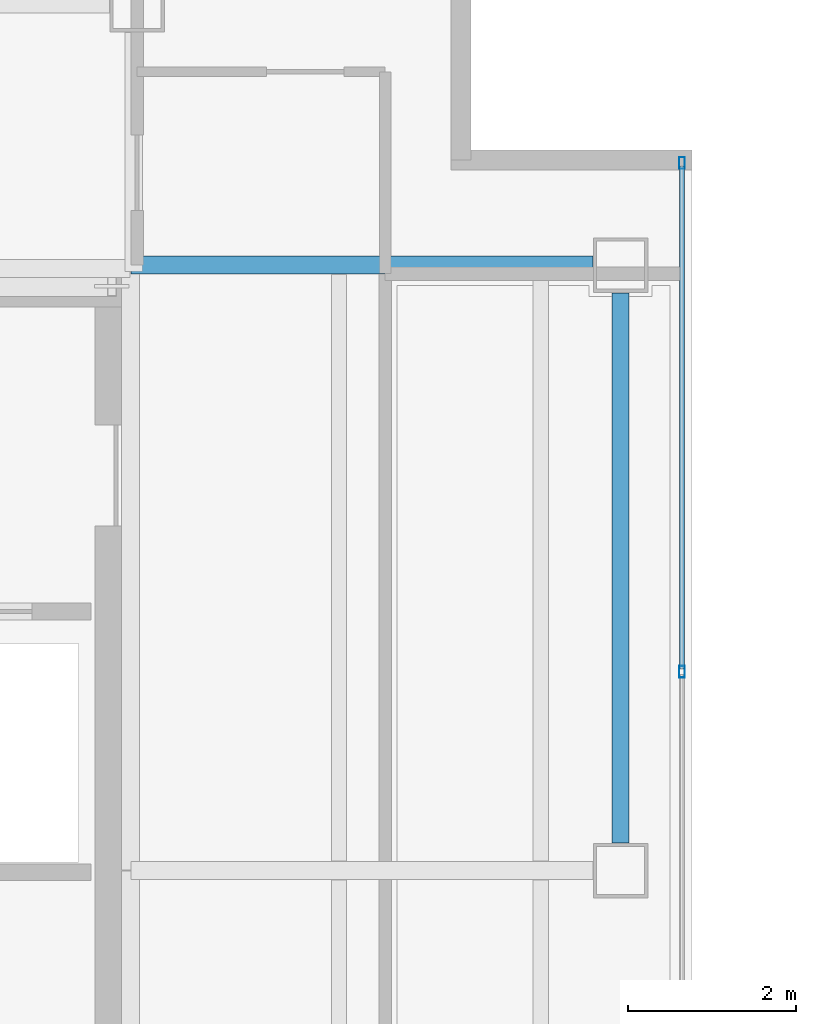
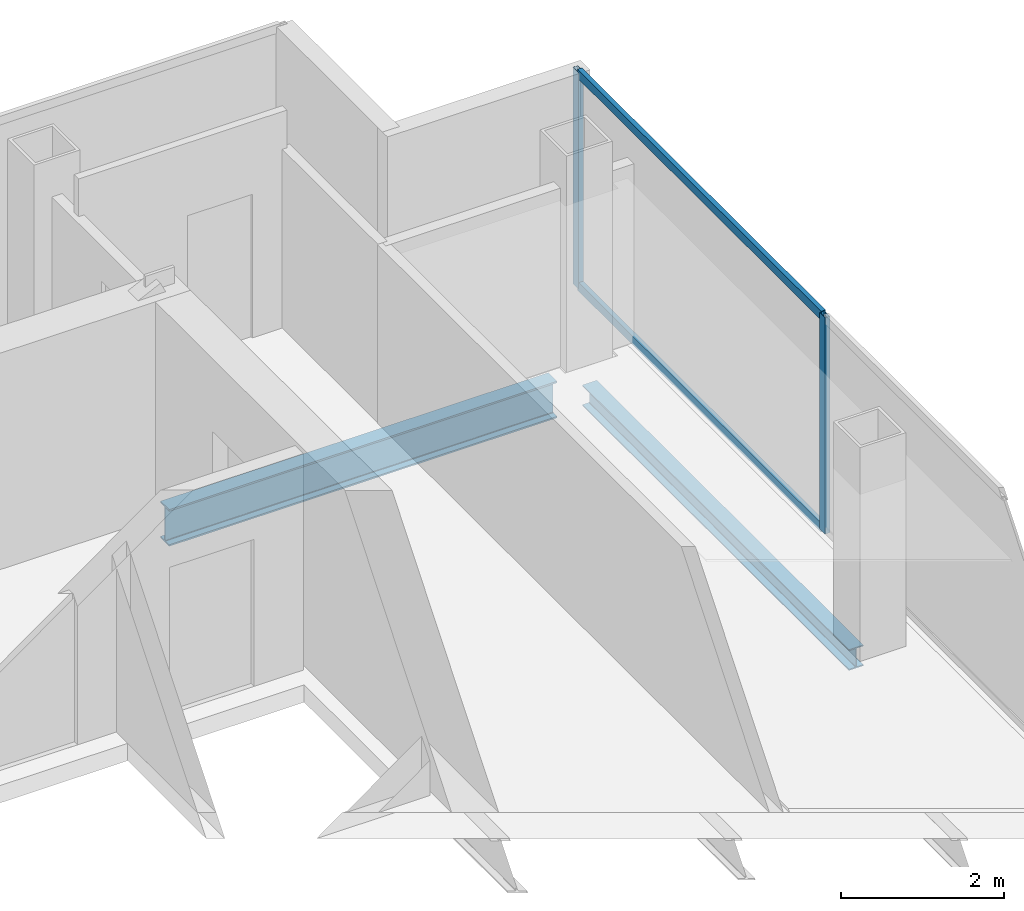
# One storey, part 11 of 23: 4 members, 2 beams, 1 element without a shape of its own.
"""IFC4 building model written with IfcOpenShell, lengths in metres."""

from ifc_helpers import new_model, si_unit, direction, frame, origin, origin_2d, place, context, subcontext, project, spatial, hollow_rectangle, i_section, extrude, material, material_profile, profile_set, type_object, element, aggregate, save


model = new_model("IFC4")

# Units and contexts
model_context = context("Model", 3, precision=1e-05, world=origin(), true_north=direction((0.0, 1.0)))
body_context = subcontext(model_context, "Body", "Model", "MODEL_VIEW")
ifc_project = project(units=[si_unit("LENGTHUNIT", "METRE"), si_unit("AREAUNIT", "SQUARE_METRE"), si_unit("VOLUMEUNIT", "CUBIC_METRE"), si_unit("PLANEANGLEUNIT", "RADIAN"), si_unit("MASSUNIT", "GRAM", prefix="KILO")], contexts=[model_context])

# Site, building, storey
site_placement = place(None, origin())
site = spatial("IfcSite", under=ifc_project, at=site_placement, CompositionType="ELEMENT")
building_placement = place(site_placement, origin())
building = spatial("IfcBuilding", under=site, at=building_placement, Name="Cobrela Telecom Tower", CompositionType="ELEMENT")
storey_placement = place(building_placement, frame((0.0, 0.0, 272.64990234375)))
storey = spatial("IfcBuildingStorey", under=building, at=storey_placement, Name="L71", CompositionType="ELEMENT", Elevation=272.64990234375)

# Beams
ifc_material_1 = material(Name="Steel ASTM A992 Grade 50", Category="steel")
ifc_material_profile_1 = material_profile(ifc_material_1, i_section(OverallWidth=0.212890625, OverallDepth=0.549072265625, WebThickness=0.0146484375, FlangeThickness=0.023681640625, FilletRadius=0.013916015625, at=origin_2d()), Name="W21X93")
ifc_profile_set_1 = profile_set([ifc_material_profile_1], Name="Steel ASTM A992 Grade 50")
beam_type_1 = type_object("IfcBeamType", Name="BM-GIRD-08", PredefinedType="USERDEFINED", material=ifc_profile_set_1)
beam_1_placement = place(storey_placement, frame((14.324951171875, 36.0, -0.534423828125), z_axis=(1.0, 0.0, 0.0), x_axis=(0.0, 1.0, 0.0)))
element("IfcBeam", 1, at=beam_1_placement, inside=storey, type_object=beam_type_1, Name="L71 Primary Girder X18", ObjectType="GIRDER", PredefinedType="USERDEFINED", context=body_context, shape_type="SweptSolid", body=[
    extrude(i_section(OverallWidth=0.212890625, OverallDepth=0.549072265625, WebThickness=0.0146484375, FlangeThickness=0.023681640625, FilletRadius=0.013916015625, at=origin_2d()), origin(), (0.0, 0.0, 1.0), 5.4951171875),
])
ifc_material_profile_2 = material_profile(ifc_material_1, i_section(OverallWidth=0.205078125, OverallDepth=0.31005859375, WebThickness=0.009521484375, FlangeThickness=0.016357421875, FilletRadius=0.010986328125, at=origin_2d()), Name="W12X50")
ifc_profile_set_2 = profile_set([ifc_material_profile_2], Name="Steel ASTM A992 Grade 50")
beam_type_2 = type_object("IfcBeamType", Name="BM-SPAND-07", PredefinedType="SPANDREL", material=ifc_profile_set_2)
beam_2_placement = place(storey_placement, frame((20.14990234375, 29.1298828125, -0.414794921875), z_axis=(0.0, 1.0, 0.0), x_axis=(-1.0, 0.0, 0.0)))
element("IfcBeam", 2, at=beam_2_placement, inside=storey, type_object=beam_type_2, Name="L71 Perimeter Spandrel Y26", PredefinedType="SPANDREL", context=body_context, shape_type="SweptSolid", body=[
    extrude(i_section(OverallWidth=0.205078125, OverallDepth=0.31005859375, WebThickness=0.009521484375, FlangeThickness=0.016357421875, FilletRadius=0.010986328125, at=origin_2d()), origin(), (0.0, 0.0, 1.0), 6.5400390625),
])

# Curtain wall, members
ifc_material_2 = material(Name="Anodized Bronze Aluminium 6063-T6", Category="aluminium")
curtain_wall_type = type_object("IfcCurtainWallType", Name="CW-SYS-OFF-HI", PredefinedType="USERDEFINED", material=ifc_material_2)
curtain_wall_placement = place(storey_placement, origin())
curtain_wall = element("IfcCurtainWall", 3, at=curtain_wall_placement, inside=storey, type_object=curtain_wall_type, Name="L71 Unitised Bronze Curtain Wall 08", ObjectType="UNITISED CURTAIN WALL", PredefinedType="USERDEFINED")
ifc_material_profile_3 = material_profile(ifc_material_2, hollow_rectangle(XDim=0.070068359375, YDim=0.139892578125, WallThickness=0.00390625, at=origin_2d()), Name="ALU 70x140x4")
ifc_profile_set_3 = profile_set([ifc_material_profile_3], Name="Anodized Bronze Aluminium 6063-T6")
member_type_1 = type_object("IfcMemberType", Name="CW-SYS-OFF-HI-MUL", PredefinedType="MULLION", material=ifc_profile_set_3)
member_1_placement = place(storey_placement, frame((20.8798828125, 37.215087890625, 0.0), z_axis=(0.0, 0.0, 1.0), x_axis=(1.0, 0.0, 0.0)))
member_1 = element("IfcMember", 4, at=member_1_placement, type_object=member_type_1, Name="CW-OFF-HI mullion 1", PredefinedType="MULLION", context=body_context, shape_type="SweptSolid", body=[
    extrude(hollow_rectangle(XDim=0.070068359375, YDim=0.139892578125, WallThickness=0.00390625, at=origin_2d()), origin(), (0.0, 0.0, 1.0), 3.239990234375),
])
member_2_placement = place(storey_placement, frame((20.8798828125, 31.1650390625, 0.0), z_axis=(0.0, 0.0, 1.0), x_axis=(1.0, 0.0, 0.0)))
member_2 = element("IfcMember", 5, at=member_2_placement, type_object=member_type_1, Name="CW-OFF-HI mullion 2", PredefinedType="MULLION", context=body_context, shape_type="SweptSolid", body=[
    extrude(hollow_rectangle(XDim=0.070068359375, YDim=0.139892578125, WallThickness=0.00390625, at=origin_2d()), origin(), (0.0, 0.0, 1.0), 3.239990234375),
])
ifc_material_profile_4 = material_profile(ifc_material_2, hollow_rectangle(XDim=0.06494140625, YDim=0.1298828125, WallThickness=0.00390625, at=origin_2d()), Name="ALU 65x130x4")
ifc_profile_set_4 = profile_set([ifc_material_profile_4], Name="Anodized Bronze Aluminium 6063-T6")
member_type_2 = type_object("IfcMemberType", Name="CW-SYS-OFF-HI-TRN", PredefinedType="USERDEFINED", material=ifc_profile_set_4)
member_3_placement = place(storey_placement, frame((20.8798828125, 37.179931640625, 0.03271484375), z_axis=(0.0, -1.0, 0.0), x_axis=(1.0, 0.0, 0.0)))
member_3 = element("IfcMember", 6, at=member_3_placement, type_object=member_type_2, Name="CW-OFF-HI transom 1.1", ObjectType="TRANSOM", PredefinedType="USERDEFINED", context=body_context, shape_type="SweptSolid", body=[
    extrude(hollow_rectangle(XDim=0.06494140625, YDim=0.1298828125, WallThickness=0.00390625, at=origin_2d()), origin(), (0.0, 0.0, 1.0), 5.97998046875),
])
member_4_placement = place(storey_placement, frame((20.8798828125, 37.179931640625, 3.20751953125), z_axis=(0.0, -1.0, 0.0), x_axis=(1.0, 0.0, 0.0)))
member_4 = element("IfcMember", 7, at=member_4_placement, type_object=member_type_2, Name="CW-OFF-HI transom 1.2", ObjectType="TRANSOM", PredefinedType="USERDEFINED", context=body_context, shape_type="SweptSolid", body=[
    extrude(hollow_rectangle(XDim=0.06494140625, YDim=0.1298828125, WallThickness=0.00390625, at=origin_2d()), origin(), (0.0, 0.0, 1.0), 5.97998046875),
])
aggregate(curtain_wall, [member_1, member_2, member_3, member_4])

save(model, "model.ifc")
